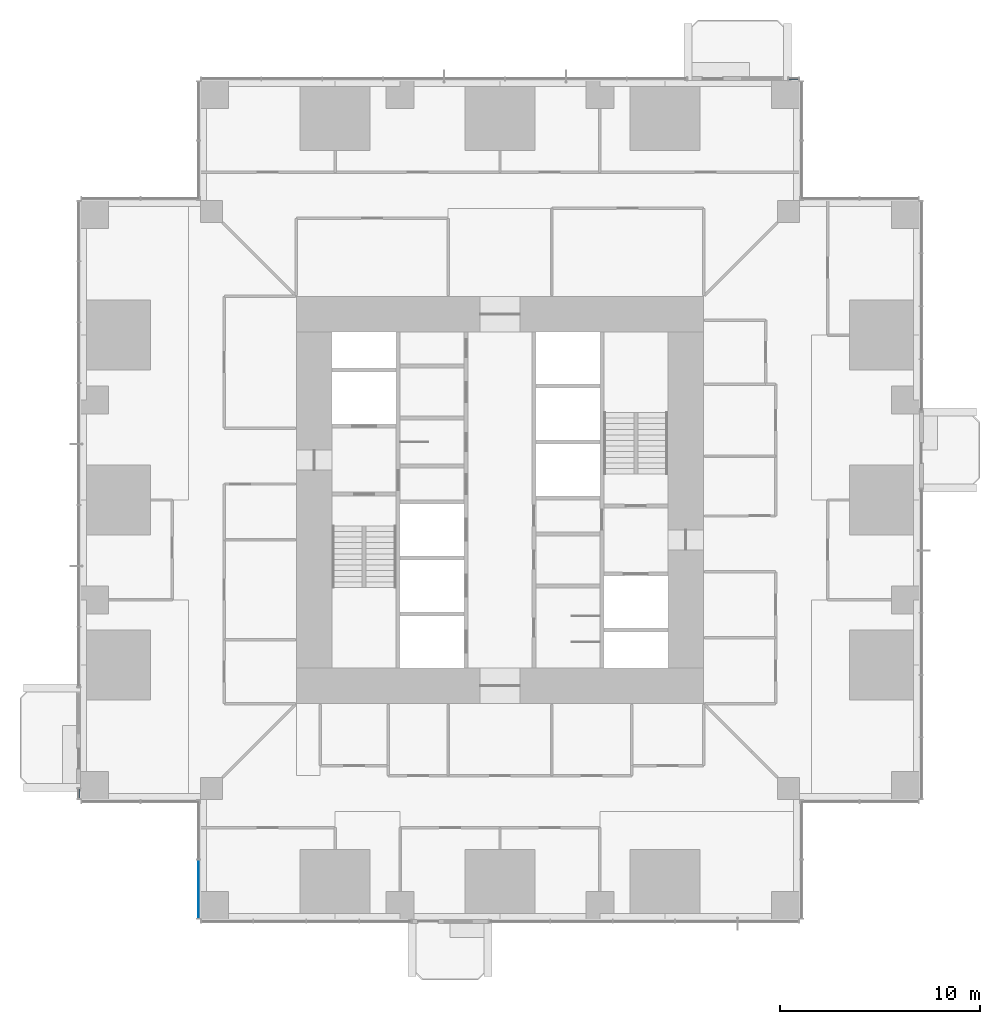
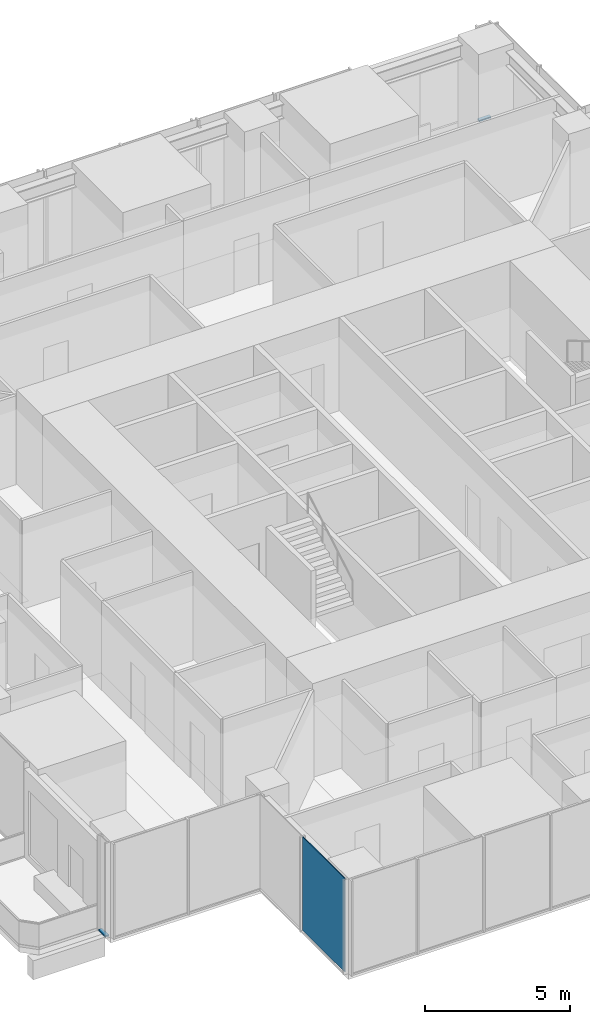
# One storey, part 7 of 18: 2 members, 1 plate, 3 elements without a shape of their own.
"""IFC4 building model written with IfcOpenShell, lengths in metres."""

import ifcopenshell
import ifcopenshell.guid

model = None  # the IFC model being written
_history = None  # IfcOwnerHistory: only IFC2X3 demands one
_inside = {}  # id of a spatial element -> (the spatial element, [elements in it])
_under = {}  # id of a project, library or spatial element -> (it, [spatial elements below it])
_declared = {}  # id of a project -> (the project, [libraries it declares])
_typed = {}  # id of a type object -> (the type object, [elements of that type])
_made_of = {}  # id of a material, layer set ... -> (it, [elements and type objects made of it])


def new_model(schema):
    """Start an empty IFC model of exactly this schema.

    Asked for "IFC4X3", IfcOpenShell would pick the latest addendum, in which some entities
    have other attributes; the version numbers below select the first issue.
    IFC2X3 requires an IfcOwnerHistory on every rooted entity: one is made here for all.
    """
    global model, _history
    if schema == "IFC4X3":
        model = ifcopenshell.file(schema_version=(4, 3, 0, 0))
    else:
        model = ifcopenshell.file(schema=schema)
    _inside.clear()
    _under.clear()
    _declared.clear()
    _typed.clear()
    _made_of.clear()
    _history = None
    if model.schema == "IFC2X3":
        org = make("IfcOrganization", Name="unknown")
        user = make(
            "IfcPersonAndOrganization",
            ThePerson=make("IfcPerson", FamilyName="unknown"),
            TheOrganization=org,
        )
        app = make(
            "IfcApplication",
            ApplicationDeveloper=org,
            Version="unknown",
            ApplicationFullName="unknown",
            ApplicationIdentifier="unknown",
        )
        _history = make(
            "IfcOwnerHistory",
            OwningUser=user,
            OwningApplication=app,
            ChangeAction="ADDED",
            CreationDate=0,
        )
    return model


def make(cls, **values):
    """One entity of the class cls with the attributes given. An attribute that is None is left unset."""
    return model.create_entity(
        cls, **{name: value for name, value in values.items() if value is not None}
    )


def rooted(cls, **values):
    """An entity with a GlobalId (a new one), such as an element, a storey or a relation."""
    return make(cls, GlobalId=ifcopenshell.guid.new(), OwnerHistory=_history, **values)


def si_unit(unit_type, name, prefix=None):
    """IfcSIUnit, for example si_unit("LENGTHUNIT", "METRE", prefix="MILLI")."""
    return make("IfcSIUnit", UnitType=unit_type, Prefix=prefix, Name=name)


def assignment(units):
    """IfcUnitAssignment: the units of a project."""
    return None if units is None else make("IfcUnitAssignment", Units=units)


def point(xyz):
    """IfcCartesianPoint."""
    return None if xyz is None else make("IfcCartesianPoint", Coordinates=xyz)


def direction(xyz):
    """IfcDirection."""
    return None if xyz is None else make("IfcDirection", DirectionRatios=xyz)


def frame(location, z_axis=None, x_axis=None):
    """IfcAxis2Placement3D, a coordinate frame: its origin and axes. An axis left out is left unset."""
    return make(
        "IfcAxis2Placement3D",
        Location=point(location),
        Axis=direction(z_axis),
        RefDirection=direction(x_axis),
    )


def frame_2d(location, x_axis=None):
    """IfcAxis2Placement2D, a coordinate frame in the plane: its origin and x axis."""
    return make(
        "IfcAxis2Placement2D", Location=point(location), RefDirection=direction(x_axis)
    )


def origin():
    """The frame at (0, 0, 0) with its axes left unset."""
    return frame((0.0, 0.0, 0.0))


def origin_2d():
    """The frame at (0, 0) in the plane with its x axis left unset."""
    return frame_2d((0.0, 0.0))


def place(relative_to, where):
    """IfcLocalPlacement: puts the frame where relative to a parent placement (None: the world)."""
    return make(
        "IfcLocalPlacement", PlacementRelTo=relative_to, RelativePlacement=where
    )


def context(
    kind, dimensions, precision=None, world=None, true_north=None, identifier=None
):
    """IfcGeometricRepresentationContext, for example the 3D "Model" context."""
    return make(
        "IfcGeometricRepresentationContext",
        ContextIdentifier=identifier,
        ContextType=kind,
        CoordinateSpaceDimension=dimensions,
        Precision=precision,
        WorldCoordinateSystem=world,
        TrueNorth=true_north,
    )


def subcontext(parent, identifier, kind, view, scale=None):
    """IfcGeometricRepresentationSubContext, for example "Body" below "Model"."""
    return make(
        "IfcGeometricRepresentationSubContext",
        ContextIdentifier=identifier,
        ContextType=kind,
        ParentContext=parent,
        TargetScale=scale,
        TargetView=view,
    )


def project(units=None, contexts=None):
    """IfcProject with its units and contexts."""
    return rooted(
        "IfcProject",
        Name="project",
        RepresentationContexts=contexts,
        UnitsInContext=assignment(units),
    )


def spatial(cls, under=None, at=None, **own):
    """A site, building, storey or space (cls), placed at a placement, below another one or the project."""
    s = rooted(cls, ObjectPlacement=at, **own)
    if under is not None:
        _under.setdefault(under.id(), (under, []))[1].append(s)
    return s


def profile(cls, at=None, kind="AREA", **sizes):
    """A parametric profile (cls). Its sizes go by their IFC names, for example OverallWidth=200.0."""
    return make(cls, ProfileType=kind, Position=at, **sizes)


def rectangle(**sizes):
    """IfcRectangleProfileDef."""
    return profile("IfcRectangleProfileDef", **sizes)


def extrude(swept, where, along, depth):
    """IfcExtrudedAreaSolid: the profile swept, set in the frame where, extruded along a direction by depth."""
    return make(
        "IfcExtrudedAreaSolid",
        SweptArea=swept,
        Position=where,
        ExtrudedDirection=direction(along),
        Depth=depth,
    )


def shape(context_of_items, identifier, shape_type, items):
    """IfcShapeRepresentation: the items that make up one representation, for example the "Body"."""
    return make(
        "IfcShapeRepresentation",
        ContextOfItems=context_of_items,
        RepresentationIdentifier=identifier,
        RepresentationType=shape_type,
        Items=items,
    )


def material(Name=None, Category=None):
    """IfcMaterial."""
    return make("IfcMaterial", Name=Name, Category=Category)


def layer(
    of_material, thickness, ventilated=None, Name=None, Category=None, Priority=None
):
    """IfcMaterialLayer: one layer of a wall or slab, of a material (None: an air gap)."""
    return make(
        "IfcMaterialLayer",
        Material=of_material,
        LayerThickness=thickness,
        IsVentilated=ventilated,
        Name=Name,
        Category=Category,
        Priority=Priority,
    )


def layer_set(layers, Name=None):
    """IfcMaterialLayerSet."""
    return make("IfcMaterialLayerSet", MaterialLayers=layers, LayerSetName=Name)


def material_profile(
    of_material, cross_section, Name=None, Category=None, Priority=None
):
    """IfcMaterialProfile: a cross section and its material."""
    return make(
        "IfcMaterialProfile",
        Name=Name,
        Material=of_material,
        Profile=cross_section,
        Priority=Priority,
        Category=Category,
    )


def profile_set(profiles, Name=None, composite=None):
    """IfcMaterialProfileSet."""
    return make(
        "IfcMaterialProfileSet",
        Name=Name,
        MaterialProfiles=profiles,
        CompositeProfile=composite,
    )


def made_of(thing, what):
    """Note that an element or type object is made of a material, layer set ...; save() writes the relation."""
    if what is not None:
        _made_of.setdefault(what.id(), (what, []))[1].append(thing)
    return thing


def type_object(cls, material=None, **own):
    """A type object (cls), such as IfcWallType, which elements share."""
    return made_of(rooted(cls, **own), material)


def element(
    cls,
    number,
    at=None,
    inside=None,
    cuts=None,
    type_object=None,
    material=None,
    context=None,
    identifier="Body",
    shape_type=None,
    held_by="IfcProductDefinitionShape",
    body=None,
    shapes=None,
    **own,
):
    """One element of the class cls, such as IfcWall. Its Tag is "e" and its number.

    at: its placement. inside: the storey or other place that contains it. cuts: it is an
    opening in that element (IfcRelVoidsElement). A single representation is given by context,
    identifier, shape_type and body (its items); several are given by shapes. held_by: the class
    of the entity that holds the representations. save() writes the other relations.
    """
    e = rooted(cls, Tag="e%d" % number, ObjectPlacement=at, **own)
    if body is not None:
        shapes = [shape(context, identifier, shape_type, body)]
    if shapes is not None:
        e.Representation = make(held_by, Representations=shapes)
    if inside is not None:
        _inside.setdefault(inside.id(), (inside, []))[1].append(e)
    if cuts is not None:
        rooted(
            "IfcRelVoidsElement", RelatingBuildingElement=cuts, RelatedOpeningElement=e
        )
    if type_object is not None:
        _typed.setdefault(type_object.id(), (type_object, []))[1].append(e)
    return made_of(e, material)


def aggregate(whole, parts):
    """IfcRelAggregates: a whole, such as a stair, and the parts it consists of."""
    return rooted("IfcRelAggregates", RelatingObject=whole, RelatedObjects=parts)


def save(model, path):
    """Write the relations noted so far, then the file.

    IfcRelAggregates (storeys below a building ...), IfcRelContainedInSpatialStructure (elements
    in a storey), IfcRelDefinesByType, IfcRelAssociatesMaterial and IfcRelDeclares: one each for
    every whole, place, type object, material and project.
    """
    for whole, parts in _under.values():
        aggregate(whole, parts)
    for where, things in _inside.values():
        rooted(
            "IfcRelContainedInSpatialStructure",
            RelatedElements=things,
            RelatingStructure=where,
        )
    for kind, things in _typed.values():
        rooted("IfcRelDefinesByType", RelatedObjects=things, RelatingType=kind)
    for what, things in _made_of.values():
        rooted("IfcRelAssociatesMaterial", RelatedObjects=things, RelatingMaterial=what)
    for by, libraries in _declared.values():
        rooted("IfcRelDeclares", RelatingContext=by, RelatedDefinitions=libraries)
    model.write(path)


model = new_model("IFC4")

# Units and contexts
model_context = context("Model", 3, precision=1e-05, world=origin(), true_north=direction((0.0, 1.0)))
body_context = subcontext(model_context, "Body", "Model", "MODEL_VIEW")
ifc_project = project(units=[si_unit("LENGTHUNIT", "METRE"), si_unit("AREAUNIT", "SQUARE_METRE"), si_unit("VOLUMEUNIT", "CUBIC_METRE"), si_unit("PLANEANGLEUNIT", "RADIAN"), si_unit("MASSUNIT", "GRAM", prefix="KILO")], contexts=[model_context])

# Site, building, storey
site_placement = place(None, origin())
site = spatial("IfcSite", under=ifc_project, at=site_placement, CompositionType="ELEMENT")
building_placement = place(site_placement, origin())
building = spatial("IfcBuilding", under=site, at=building_placement, Name="Svetlomir Tower", CompositionType="ELEMENT")
storey_placement = place(building_placement, frame((0.0, 0.0, 54.5)))
storey = spatial("IfcBuildingStorey", under=building, at=storey_placement, Name="L12", CompositionType="ELEMENT", Elevation=54.5)

# Curtain wall, member
ifc_material_1 = material(Name="Bronze anodised aluminium curtain wall", Category="aluminium")
curtain_wall_type = type_object("IfcCurtainWallType", Name="CURTAIN WALL CW1 TOWER OFFICE", PredefinedType="NOTDEFINED", material=ifc_material_1)
curtain_wall_1_placement = place(storey_placement, origin())
curtain_wall_1 = element("IfcCurtainWall", 1, at=curtain_wall_1_placement, inside=storey, type_object=curtain_wall_type, Name="Curtain wall CW1 L12", PredefinedType="NOTDEFINED")
ifc_material_2 = material(Name="Bronze anodised aluminium", Category="aluminium")
ifc_material_profile = material_profile(ifc_material_2, rectangle(XDim=0.139892578125, YDim=0.06494140625, at=origin_2d()), Name="AL 140x65")
ifc_profile_set = profile_set([ifc_material_profile], Name="Bronze anodised aluminium 6063-T6")
member_type = type_object("IfcMemberType", Name="CW1 TRANSOM 65x140", PredefinedType="USERDEFINED", material=ifc_profile_set)
member_1_placement = place(storey_placement, frame((35.93505859375, 42.10009765625, 0.032470703125), z_axis=(-1.0, 0.0, 0.0), x_axis=(0.0, -1.0, 0.0)))
member_1 = element("IfcMember", 2, at=member_1_placement, type_object=member_type, Name="CW1 transom 1.1", ObjectType="TRANSOM", PredefinedType="USERDEFINED", context=body_context, shape_type="SweptSolid", body=[
    extrude(rectangle(XDim=0.139892578125, YDim=0.06494140625, at=origin_2d()), origin(), (0.0, 0.0, 1.0), 0.469970703125),
])
aggregate(curtain_wall_1, [member_1])

curtain_wall_2_placement = place(storey_placement, origin())
curtain_wall_2 = element("IfcCurtainWall", 3, at=curtain_wall_2_placement, inside=storey, type_object=curtain_wall_type, Name="Curtain wall CW1 L12", PredefinedType="NOTDEFINED")
member_2_placement = place(storey_placement, frame((-0.10009765625, 6.534912109375, 0.032470703125), z_axis=(0.0, -1.0, 0.0), x_axis=(1.0, 0.0, 0.0)))
member_2 = element("IfcMember", 4, at=member_2_placement, type_object=member_type, Name="CW1 transom 1.1", ObjectType="TRANSOM", PredefinedType="USERDEFINED", context=body_context, shape_type="SweptSolid", body=[
    extrude(rectangle(XDim=0.139892578125, YDim=0.06494140625, at=origin_2d()), origin(), (0.0, 0.0, 1.0), 0.469970703125),
])
aggregate(curtain_wall_2, [member_2])

# Curtain wall, plate
curtain_wall_3_placement = place(storey_placement, origin())
curtain_wall_3 = element("IfcCurtainWall", 5, at=curtain_wall_3_placement, inside=storey, type_object=curtain_wall_type, Name="Curtain wall CW1 L12", PredefinedType="NOTDEFINED")
ifc_material_3 = material(Name="Tinted double glazed unit", Category="glass")
ifc_layer = layer(ifc_material_3, 0.031982421875)
ifc_layer_set = layer_set([ifc_layer], Name="Tinted double glazed unit")
plate_type = type_object("IfcPlateType", Name="CW1 GLAZED PANEL 32", PredefinedType="CURTAIN_PANEL", material=ifc_layer_set)
plate_placement = place(storey_placement, frame((5.89990234375, 1.516357421875, 0.06494140625), z_axis=(0.0, 0.0, 1.0), x_axis=(0.0, -1.0, 0.0)))
plate = element("IfcPlate", 6, at=plate_placement, type_object=plate_type, Name="CW1 panel 2.1", PredefinedType="CURTAIN_PANEL", context=body_context, shape_type="SweptSolid", body=[
    extrude(rectangle(XDim=2.902587890625, YDim=0.031982421875, at=origin_2d()), origin(), (0.0, 0.0, 1.0), 3.93505859375),
])
aggregate(curtain_wall_3, [plate])

save(model, "model.ifc")
